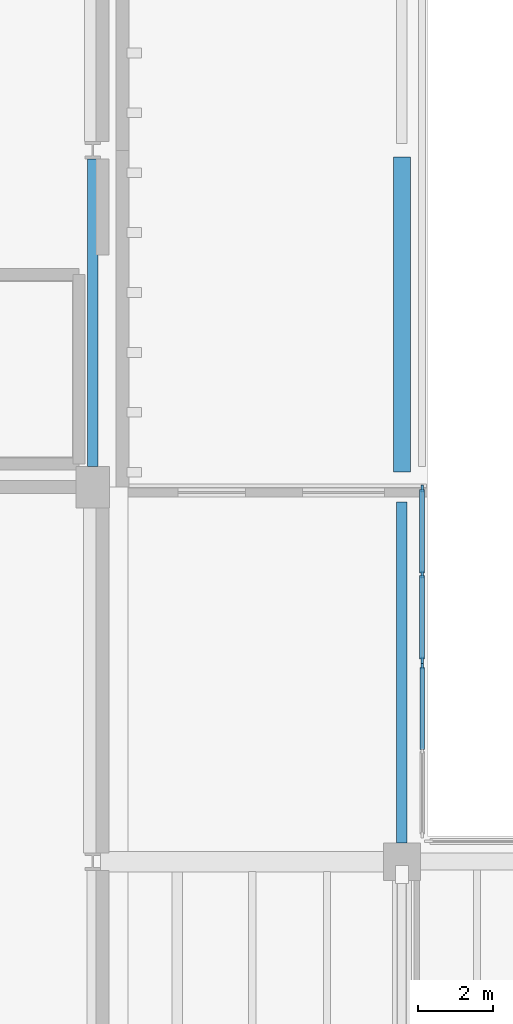
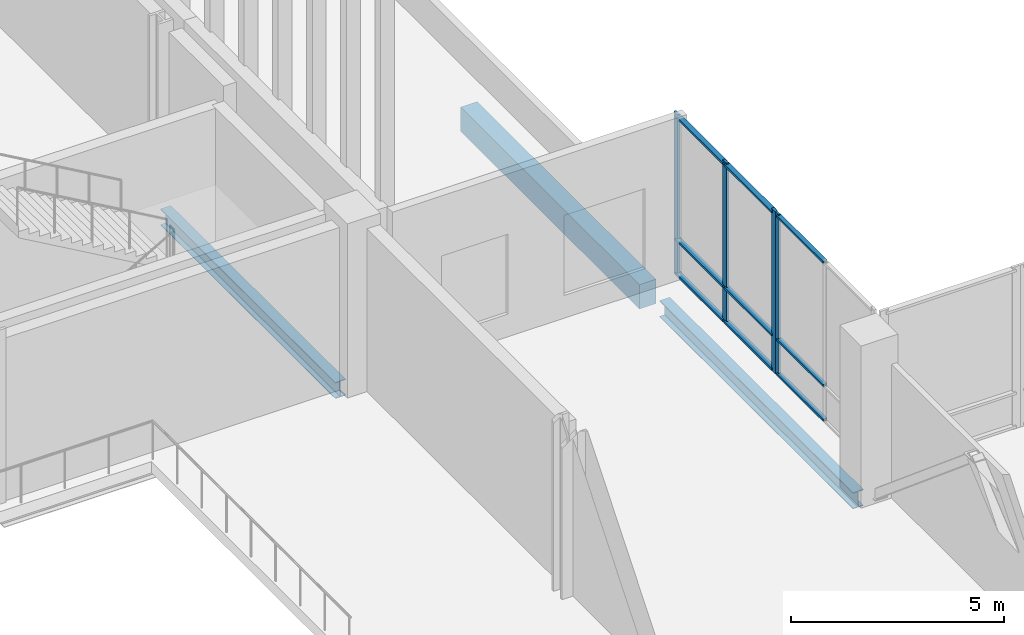
# One storey, part 30 of 60: 13 members, 3 beams, 2 elements without a shape of their own.
"""IFC4 building model written with IfcOpenShell, lengths in metres."""

from ifc_helpers import new_model, si_unit, direction, frame, origin, origin_2d, place, context, subcontext, project, spatial, rectangle, i_section, extrude, material, material_profile, profile_set, type_object, element, aggregate, save


model = new_model("IFC4")

# Units and contexts
model_context = context("Model", 3, precision=1e-05, world=origin(), true_north=direction((0.0, 1.0)))
body_context = subcontext(model_context, "Body", "Model", "MODEL_VIEW")
ifc_project = project(units=[si_unit("LENGTHUNIT", "METRE"), si_unit("AREAUNIT", "SQUARE_METRE"), si_unit("VOLUMEUNIT", "CUBIC_METRE"), si_unit("PLANEANGLEUNIT", "RADIAN"), si_unit("MASSUNIT", "GRAM", prefix="KILO")], contexts=[model_context])

# Site, building, storey
site_placement = place(None, origin())
site = spatial("IfcSite", under=ifc_project, at=site_placement, CompositionType="ELEMENT")
building_placement = place(site_placement, origin())
building = spatial("IfcBuilding", under=site, at=building_placement, Name="Trimount Lyric Opera House", CompositionType="ELEMENT")
storey_placement = place(building_placement, frame((0.0, 0.0, 15.0)))
storey = spatial("IfcBuildingStorey", under=building, at=storey_placement, Name="L03", CompositionType="ELEMENT", Elevation=15.0)

# Curtain wall, members
ifc_material_1 = material(Name="Thermally Broken Aluminium and Low-E Glass", Category="aluminium")
curtain_wall_type = type_object("IfcCurtainWallType", Name="CW-03", PredefinedType="NOTDEFINED", material=ifc_material_1)
curtain_wall_1_placement = place(storey_placement, origin())
curtain_wall_1 = element("IfcCurtainWall", 1, at=curtain_wall_1_placement, inside=storey, type_object=curtain_wall_type, Name="L03 curtain wall 247", PredefinedType="NOTDEFINED")
ifc_material_2 = material(Name="Anodised Aluminium 6063-T6", Category="aluminium")
ifc_material_profile_1 = material_profile(ifc_material_2, rectangle(XDim=0.06494140625, YDim=0.179931640625, at=origin_2d()), Name="ALU-MULL-65X180")
ifc_profile_set_1 = profile_set([ifc_material_profile_1], Name="Anodised Aluminium 6063-T6")
member_type_1 = type_object("IfcMemberType", Name="ML-02", PredefinedType="MULLION", material=ifc_profile_set_1)
member_1_placement = place(storey_placement, frame((122.5400390625, 83.967529296875, 0.0), z_axis=(0.0, 0.0, 1.0), x_axis=(1.0, 0.0, 0.0)))
member_1 = element("IfcMember", 2, at=member_1_placement, type_object=member_type_1, Name="CW-03 mullion 1", PredefinedType="MULLION", context=body_context, shape_type="SweptSolid", body=[
    extrude(rectangle(XDim=0.06494140625, YDim=0.179931640625, at=origin_2d()), origin(), (0.0, 0.0, 1.0), 4.64990234375),
])
member_2_placement = place(storey_placement, frame((122.5400390625, 81.669921875, 0.0), z_axis=(0.0, 0.0, 1.0), x_axis=(1.0, 0.0, 0.0)))
member_2 = element("IfcMember", 3, at=member_2_placement, type_object=member_type_1, Name="CW-03 mullion 2", PredefinedType="MULLION", context=body_context, shape_type="SweptSolid", body=[
    extrude(rectangle(XDim=0.06494140625, YDim=0.179931640625, at=origin_2d()), origin(), (0.0, 0.0, 1.0), 4.64990234375),
])
member_3_placement = place(storey_placement, frame((122.5400390625, 79.37255859375, 0.0), z_axis=(0.0, 0.0, 1.0), x_axis=(1.0, 0.0, 0.0)))
member_3 = element("IfcMember", 4, at=member_3_placement, type_object=member_type_1, Name="CW-03 mullion 3", PredefinedType="MULLION", context=body_context, shape_type="SweptSolid", body=[
    extrude(rectangle(XDim=0.06494140625, YDim=0.179931640625, at=origin_2d()), origin(), (0.0, 0.0, 1.0), 4.64990234375),
])

# Curtain wall, member
curtain_wall_2_placement = place(storey_placement, origin())
curtain_wall_2 = element("IfcCurtainWall", 5, at=curtain_wall_2_placement, inside=storey, type_object=curtain_wall_type, Name="L03 curtain wall 248", PredefinedType="NOTDEFINED")
ifc_material_3 = material(Name="Anodised Aluminium 6063-T6", Category="aluminium")
ifc_material_profile_2 = material_profile(ifc_material_3, rectangle(XDim=0.06005859375, YDim=0.14990234375, at=origin_2d()), Name="ALU-MULL-60X150")
ifc_profile_set_2 = profile_set([ifc_material_profile_2], Name="Anodised Aluminium 6063-T6")
member_type_2 = type_object("IfcMemberType", Name="ML-03", PredefinedType="MULLION", material=ifc_profile_set_2)
member_4_placement = place(storey_placement, frame((122.5400390625, 79.219970703125, 0.0), z_axis=(0.0, 0.0, 1.0), x_axis=(1.0, 0.0, 0.0)))
member_4 = element("IfcMember", 6, at=member_4_placement, type_object=member_type_2, Name="CW-03 mullion 1", PredefinedType="MULLION", context=body_context, shape_type="SweptSolid", body=[
    extrude(rectangle(XDim=0.06005859375, YDim=0.14990234375, at=origin_2d()), origin(), (0.0, 0.0, 1.0), 4.64990234375),
])

# Beams
ifc_material_4 = material(Name="Steel ASTM A992 Grade 50", Category="steel")
ifc_material_profile_3 = material_profile(ifc_material_4, i_section(OverallWidth=0.281982421875, OverallDepth=0.467041015625, WebThickness=0.01220703125, FlangeThickness=0.01953125, FilletRadius=0.012939453125, at=origin_2d()), Name="W18X86")
ifc_profile_set_3 = profile_set([ifc_material_profile_3], Name="Steel ASTM A992 Grade 50")
beam_type_1 = type_object("IfcBeamType", Name="SP-01", PredefinedType="SPANDREL", material=ifc_profile_set_3)
beam_1_placement = place(storey_placement, frame((113.739990234375, 84.550048828125, -0.55859375), z_axis=(0.0, 1.0, 0.0), x_axis=(-1.0, 0.0, 0.0)))
element("IfcBeam", 7, at=beam_1_placement, inside=storey, type_object=beam_type_1, Name="L03 girder Y-1093", PredefinedType="SPANDREL", context=body_context, shape_type="SweptSolid", body=[
    extrude(i_section(OverallWidth=0.281982421875, OverallDepth=0.467041015625, WebThickness=0.01220703125, FlangeThickness=0.01953125, FilletRadius=0.012939453125, at=origin_2d()), origin(), (0.0, 0.0, 1.0), 8.217529296875),
])
beam_2_placement = place(storey_placement, frame((122.0, 74.5, -0.5234375), z_axis=(0.0, 1.0, 0.0), x_axis=(-1.0, 0.0, 0.0)))
element("IfcBeam", 8, at=beam_2_placement, inside=storey, type_object=beam_type_1, Name="L03 girder Y-1099", PredefinedType="SPANDREL", context=body_context, shape_type="SweptSolid", body=[
    extrude(i_section(OverallWidth=0.281982421875, OverallDepth=0.467041015625, WebThickness=0.01220703125, FlangeThickness=0.01953125, FilletRadius=0.012939453125, at=origin_2d()), origin(), (0.0, 0.0, 1.0), 9.10009765625),
])
ifc_material_5 = material(Name="Concrete C40/50", Category="concrete")
ifc_material_profile_4 = material_profile(ifc_material_5, rectangle(XDim=0.449951171875, YDim=0.699951171875, at=origin_2d()), Name="RC450X700")
ifc_profile_set_4 = profile_set([ifc_material_profile_4], Name="Concrete C40/50")
beam_type_2 = type_object("IfcBeamType", Name="SP-02", PredefinedType="SPANDREL", material=ifc_profile_set_4)
beam_3_placement = place(storey_placement, frame((122.0, 84.39990234375, -0.639892578125), z_axis=(0.0, 1.0, 0.0), x_axis=(-1.0, 0.0, 0.0)))
element("IfcBeam", 9, at=beam_3_placement, inside=storey, type_object=beam_type_2, Name="L03 girder Y-1100", PredefinedType="SPANDREL", context=body_context, shape_type="SweptSolid", body=[
    extrude(rectangle(XDim=0.449951171875, YDim=0.699951171875, at=origin_2d()), origin(), (0.0, 0.0, 1.0), 8.416015625),
])

# Member
ifc_material_6 = material(Name="Anodised Aluminium 6063-T6", Category="aluminium")
ifc_material_profile_5 = material_profile(ifc_material_6, rectangle(XDim=0.135009765625, YDim=0.06494140625, at=origin_2d()), Name="ALU-TRAN-65X135")
ifc_profile_set_5 = profile_set([ifc_material_profile_5], Name="Anodised Aluminium 6063-T6")
member_type_3 = type_object("IfcMemberType", Name="TR-02", PredefinedType="USERDEFINED", material=ifc_profile_set_5)
member_5_placement = place(storey_placement, frame((122.5400390625, 83.93505859375, 0.0673828125), z_axis=(0.0, -1.0, 0.0), x_axis=(1.0, 0.0, 0.0)))
member_5 = element("IfcMember", 10, at=member_5_placement, type_object=member_type_3, Name="CW-03 transom 1.1", ObjectType="TRANSOM", PredefinedType="USERDEFINED", context=body_context, shape_type="SweptSolid", body=[
    extrude(rectangle(XDim=0.135009765625, YDim=0.06494140625, at=origin_2d()), origin(), (0.0, 0.0, 1.0), 2.232666015625),
])

member_6_placement = place(storey_placement, frame((122.5400390625, 83.93505859375, 1.050048828125), z_axis=(0.0, -1.0, 0.0), x_axis=(1.0, 0.0, 0.0)))
member_6 = element("IfcMember", 11, at=member_6_placement, type_object=member_type_3, Name="CW-03 transom 1.2", ObjectType="TRANSOM", PredefinedType="USERDEFINED", context=body_context, shape_type="SweptSolid", body=[
    extrude(rectangle(XDim=0.135009765625, YDim=0.06494140625, at=origin_2d()), origin(), (0.0, 0.0, 1.0), 2.232666015625),
])

member_7_placement = place(storey_placement, frame((122.5400390625, 83.93505859375, 4.58251953125), z_axis=(0.0, -1.0, 0.0), x_axis=(1.0, 0.0, 0.0)))
member_7 = element("IfcMember", 12, at=member_7_placement, type_object=member_type_3, Name="CW-03 transom 1.3", ObjectType="TRANSOM", PredefinedType="USERDEFINED", context=body_context, shape_type="SweptSolid", body=[
    extrude(rectangle(XDim=0.135009765625, YDim=0.06494140625, at=origin_2d()), origin(), (0.0, 0.0, 1.0), 2.232666015625),
])

member_8_placement = place(storey_placement, frame((122.5400390625, 81.637451171875, 0.0673828125), z_axis=(0.0, -1.0, 0.0), x_axis=(1.0, 0.0, 0.0)))
member_8 = element("IfcMember", 13, at=member_8_placement, type_object=member_type_3, Name="CW-03 transom 2.1", ObjectType="TRANSOM", PredefinedType="USERDEFINED", context=body_context, shape_type="SweptSolid", body=[
    extrude(rectangle(XDim=0.135009765625, YDim=0.06494140625, at=origin_2d()), origin(), (0.0, 0.0, 1.0), 2.232421875),
])

member_9_placement = place(storey_placement, frame((122.5400390625, 81.637451171875, 1.050048828125), z_axis=(0.0, -1.0, 0.0), x_axis=(1.0, 0.0, 0.0)))
member_9 = element("IfcMember", 14, at=member_9_placement, type_object=member_type_3, Name="CW-03 transom 2.2", ObjectType="TRANSOM", PredefinedType="USERDEFINED", context=body_context, shape_type="SweptSolid", body=[
    extrude(rectangle(XDim=0.135009765625, YDim=0.06494140625, at=origin_2d()), origin(), (0.0, 0.0, 1.0), 2.232421875),
])

member_10_placement = place(storey_placement, frame((122.5400390625, 81.637451171875, 4.58251953125), z_axis=(0.0, -1.0, 0.0), x_axis=(1.0, 0.0, 0.0)))
member_10 = element("IfcMember", 15, at=member_10_placement, type_object=member_type_3, Name="CW-03 transom 2.3", ObjectType="TRANSOM", PredefinedType="USERDEFINED", context=body_context, shape_type="SweptSolid", body=[
    extrude(rectangle(XDim=0.135009765625, YDim=0.06494140625, at=origin_2d()), origin(), (0.0, 0.0, 1.0), 2.232421875),
])

aggregate(curtain_wall_1, [member_1, member_2, member_3, member_5, member_6, member_7, member_8, member_9, member_10])

ifc_material_7 = material(Name="Anodised Aluminium 6063-T6", Category="aluminium")
ifc_material_profile_6 = material_profile(ifc_material_7, rectangle(XDim=0.114990234375, YDim=0.06005859375, at=origin_2d()), Name="ALU-TRAN-60X115")
ifc_profile_set_6 = profile_set([ifc_material_profile_6], Name="Anodised Aluminium 6063-T6")
member_type_4 = type_object("IfcMemberType", Name="TR-03", PredefinedType="USERDEFINED", material=ifc_profile_set_6)
member_11_placement = place(storey_placement, frame((122.5400390625, 79.18994140625, 0.0576171875), z_axis=(0.0, -1.0, 0.0), x_axis=(1.0, 0.0, 0.0)))
member_11 = element("IfcMember", 16, at=member_11_placement, type_object=member_type_4, Name="CW-03 transom 1.1", ObjectType="TRANSOM", PredefinedType="USERDEFINED", context=body_context, shape_type="SweptSolid", body=[
    extrude(rectangle(XDim=0.114990234375, YDim=0.06005859375, at=origin_2d()), origin(), (0.0, 0.0, 1.0), 2.19482421875),
])

member_12_placement = place(storey_placement, frame((122.5400390625, 79.18994140625, 1.050048828125), z_axis=(0.0, -1.0, 0.0), x_axis=(1.0, 0.0, 0.0)))
member_12 = element("IfcMember", 17, at=member_12_placement, type_object=member_type_4, Name="CW-03 transom 1.2", ObjectType="TRANSOM", PredefinedType="USERDEFINED", context=body_context, shape_type="SweptSolid", body=[
    extrude(rectangle(XDim=0.114990234375, YDim=0.06005859375, at=origin_2d()), origin(), (0.0, 0.0, 1.0), 2.19482421875),
])

member_13_placement = place(storey_placement, frame((122.5400390625, 79.18994140625, 4.592529296875), z_axis=(0.0, -1.0, 0.0), x_axis=(1.0, 0.0, 0.0)))
member_13 = element("IfcMember", 18, at=member_13_placement, type_object=member_type_4, Name="CW-03 transom 1.3", ObjectType="TRANSOM", PredefinedType="USERDEFINED", context=body_context, shape_type="SweptSolid", body=[
    extrude(rectangle(XDim=0.114990234375, YDim=0.06005859375, at=origin_2d()), origin(), (0.0, 0.0, 1.0), 2.19482421875),
])

aggregate(curtain_wall_2, [member_4, member_11, member_12, member_13])

save(model, "model.ifc")
